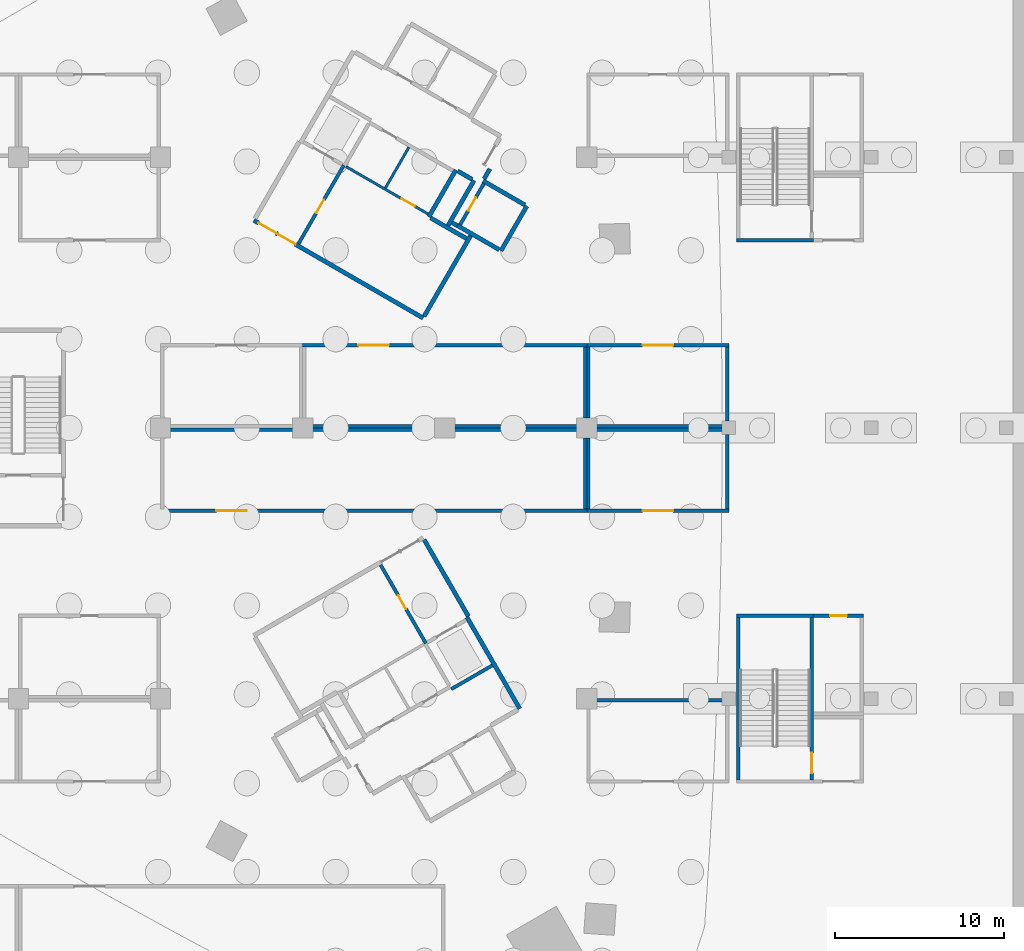
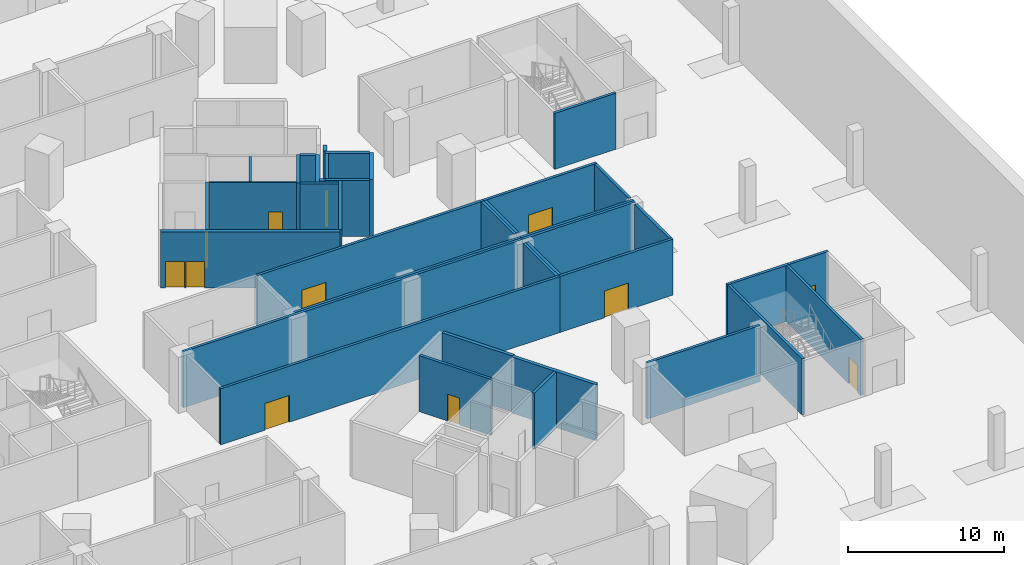
# One storey, part 17 of 46: 39 walls, 12 doors, 12 openings.
"""IFC4 building model written with IfcOpenShell, lengths in metres."""

from ifc_helpers import new_model, si_unit, direction, frame, frame_2d, origin, place, context, subcontext, project, spatial, rectangle, extrude, material, layer, layer_set, type_object, element, fill, save


model = new_model("IFC4")

# Units and contexts
model_context = context("Model", 3, precision=1e-05, world=origin(), true_north=direction((0.0, 1.0)))
body_context = subcontext(model_context, "Body", "Model", "MODEL_VIEW")
ifc_project = project(units=[si_unit("LENGTHUNIT", "METRE"), si_unit("AREAUNIT", "SQUARE_METRE"), si_unit("VOLUMEUNIT", "CUBIC_METRE"), si_unit("PLANEANGLEUNIT", "RADIAN"), si_unit("MASSUNIT", "GRAM", prefix="KILO")], contexts=[model_context])

# Site, building, storey
site_placement = place(None, origin())
site = spatial("IfcSite", under=ifc_project, at=site_placement, CompositionType="ELEMENT")
building_placement = place(site_placement, origin())
building = spatial("IfcBuilding", under=site, at=building_placement, Name="Tamra Quay Hotel Tower", CompositionType="ELEMENT")
storey_placement = place(building_placement, frame((0.0, 0.0, -12.0)))
storey = spatial("IfcBuildingStorey", under=building, at=storey_placement, Name="B3", CompositionType="ELEMENT", Elevation=-12.0)

# Wall
ifc_material_1 = material(Name="Blockwork", Category="masonry")
ifc_layer_1 = layer(ifc_material_1, 0.199951171875)
ifc_layer_set_1 = layer_set([ifc_layer_1], Name="Car park room wall 200")
wall_type_1 = type_object("IfcWallType", Name="Car park room wall 200", PredefinedType="PARTITIONING", material=ifc_layer_set_1)
wall_1_placement = place(storey_placement, frame((20.10009765625, -16.10009765625, 0.0), z_axis=(0.0, 0.0, 1.0), x_axis=(1.0, 0.0, 0.0)))
element("IfcWall", 1, at=wall_1_placement, inside=storey, type_object=wall_type_1, Name="PW", PredefinedType="PARTITIONING", context=body_context, shape_type="SweptSolid", body=[
    extrude(rectangle(XDim=8.39990234375, YDim=0.199951171875, at=frame_2d((4.199951171875, 0.0))), origin(), (0.0, 0.0, 1.0), 4.39990234375),
])

# Wall, opening, door
wall_2_placement = place(storey_placement, frame((-5.10009765625, -4.89990234375, 0.0), z_axis=(0.0, 0.0, 1.0), x_axis=(1.0, 0.0, 0.0)))
wall_2 = element("IfcWall", 2, at=wall_2_placement, inside=storey, type_object=wall_type_1, Name="PW", PredefinedType="PARTITIONING", context=body_context, shape_type="SweptSolid", body=[
    extrude(rectangle(XDim=25.2001953125, YDim=0.199951171875, at=frame_2d((12.60009765625, 0.0))), origin(), (0.0, 0.0, 1.0), 4.39990234375),
])
opening_1_placement = place(wall_2_placement, frame((3.300048828125, 0.0, 0.0)))
opening_1 = element("IfcOpeningElement", 3, at=opening_1_placement, cuts=wall_2, Name="Opening PD2", PredefinedType="OPENING", context=body_context, shape_type="SweptSolid", body=[
    extrude(rectangle(XDim=1.800048828125, YDim=2.10009765625, at=frame_2d((0.89990234375, 1.050048828125))), frame((0.0, 0.10986328125, 0.0), z_axis=(0.0, -1.0, 0.0), x_axis=(1.0, 0.0, 0.0)), (0.0, 0.0, 1.0), 0.219970703125),
])
ifc_material_2 = material(Name="Plant door 1800 x 2100")
door_type_1 = type_object("IfcDoorType", Name="Plant door 1800 x 2100", OperationType="DOUBLE_DOOR_SINGLE_SWING", PredefinedType="DOOR", material=ifc_material_2)
door_1_placement = place(opening_1_placement, origin())
door_1 = element("IfcDoor", 4, at=door_1_placement, inside=storey, type_object=door_type_1, Name="PD2", OperationType="DOUBLE_DOOR_SINGLE_SWING", OverallHeight=2.10009765625, OverallWidth=1.800048828125, PredefinedType="DOOR", context=body_context, shape_type="SweptSolid", body=[
    extrude(rectangle(XDim=1.800048828125, YDim=2.10009765625, at=frame_2d((0.89990234375, 1.050048828125))), frame((0.0, 0.02490234375, 0.0), z_axis=(0.0, -1.0, 0.0), x_axis=(1.0, 0.0, 0.0)), (0.0, 0.0, 1.0), 0.050048828125),
])
fill(opening_1, door_1)

# Walls
wall_3_placement = place(storey_placement, frame((-5.10009765625, -0.10009765625, 0.0), z_axis=(0.0, 0.0, 1.0), x_axis=(1.0, 0.0, 0.0)))
element("IfcWall", 5, at=wall_3_placement, inside=storey, type_object=wall_type_1, Name="PW", PredefinedType="PARTITIONING", context=body_context, shape_type="SweptSolid", body=[
    extrude(rectangle(XDim=25.2001953125, YDim=0.199951171875, at=frame_2d((12.60009765625, 0.0))), origin(), (0.0, 0.0, 1.0), 4.39990234375),
])
wall_4_placement = place(storey_placement, frame((20.0, -4.800048828125, 0.0), z_axis=(0.0, 0.0, 1.0), x_axis=(0.0, 1.0, 0.0)))
element("IfcWall", 6, at=wall_4_placement, inside=storey, type_object=wall_type_1, Name="PW", PredefinedType="PARTITIONING", context=body_context, shape_type="SweptSolid", body=[
    extrude(rectangle(XDim=4.199951171875, YDim=0.199951171875, at=frame_2d((2.10009765625, 0.0))), origin(), (0.0, 0.0, 1.0), 4.39990234375),
])

# Wall, opening, door
wall_5_placement = place(storey_placement, frame((20.10009765625, -4.89990234375, 0.0), z_axis=(0.0, 0.0, 1.0), x_axis=(1.0, 0.0, 0.0)))
wall_5 = element("IfcWall", 7, at=wall_5_placement, inside=storey, type_object=wall_type_1, Name="PW", PredefinedType="PARTITIONING", context=body_context, shape_type="SweptSolid", body=[
    extrude(rectangle(XDim=8.39990234375, YDim=0.199951171875, at=frame_2d((4.199951171875, 0.0))), origin(), (0.0, 0.0, 1.0), 4.39990234375),
])
opening_2_placement = place(wall_5_placement, frame((3.300048828125, 0.0, 0.0)))
opening_2 = element("IfcOpeningElement", 8, at=opening_2_placement, cuts=wall_5, Name="Opening PD2", PredefinedType="OPENING", context=body_context, shape_type="SweptSolid", body=[
    extrude(rectangle(XDim=1.800048828125, YDim=2.10009765625, at=frame_2d((0.89990234375, 1.050048828125))), frame((0.0, 0.10986328125, 0.0), z_axis=(0.0, -1.0, 0.0), x_axis=(1.0, 0.0, 0.0)), (0.0, 0.0, 1.0), 0.219970703125),
])
door_2_placement = place(opening_2_placement, origin())
door_2 = element("IfcDoor", 9, at=door_2_placement, inside=storey, type_object=door_type_1, Name="PD2", OperationType="DOUBLE_DOOR_SINGLE_SWING", OverallHeight=2.10009765625, OverallWidth=1.800048828125, PredefinedType="DOOR", context=body_context, shape_type="SweptSolid", body=[
    extrude(rectangle(XDim=1.800048828125, YDim=2.10009765625, at=frame_2d((0.89990234375, 1.050048828125))), frame((0.0, 0.02490234375, 0.0), z_axis=(0.0, -1.0, 0.0), x_axis=(1.0, 0.0, 0.0)), (0.0, 0.0, 1.0), 0.050048828125),
])
fill(opening_2, door_2)

# Walls
wall_6_placement = place(storey_placement, frame((20.10009765625, -0.10009765625, 0.0), z_axis=(0.0, 0.0, 1.0), x_axis=(1.0, 0.0, 0.0)))
element("IfcWall", 10, at=wall_6_placement, inside=storey, type_object=wall_type_1, Name="PW", PredefinedType="PARTITIONING", context=body_context, shape_type="SweptSolid", body=[
    extrude(rectangle(XDim=8.39990234375, YDim=0.199951171875, at=frame_2d((4.199951171875, 0.0))), origin(), (0.0, 0.0, 1.0), 4.39990234375),
])
wall_7_placement = place(storey_placement, frame((20.199951171875, -4.800048828125, 0.0), z_axis=(0.0, 0.0, 1.0), x_axis=(0.0, 1.0, 0.0)))
element("IfcWall", 11, at=wall_7_placement, inside=storey, type_object=wall_type_1, Name="PW", PredefinedType="PARTITIONING", context=body_context, shape_type="SweptSolid", body=[
    extrude(rectangle(XDim=4.199951171875, YDim=0.199951171875, at=frame_2d((2.10009765625, 0.0))), origin(), (0.0, 0.0, 1.0), 4.39990234375),
])
wall_8_placement = place(storey_placement, frame((28.39990234375, -4.800048828125, 0.0), z_axis=(0.0, 0.0, 1.0), x_axis=(0.0, 1.0, 0.0)))
element("IfcWall", 12, at=wall_8_placement, inside=storey, type_object=wall_type_1, Name="PW", PredefinedType="PARTITIONING", context=body_context, shape_type="SweptSolid", body=[
    extrude(rectangle(XDim=4.400146484375, YDim=0.199951171875, at=frame_2d((2.2001953125, 0.0))), origin(), (0.0, 0.0, 1.0), 4.39990234375),
])
wall_9_placement = place(storey_placement, frame((3.300048828125, 0.10009765625, 0.0), z_axis=(0.0, 0.0, 1.0), x_axis=(1.0, 0.0, 0.0)))
element("IfcWall", 13, at=wall_9_placement, inside=storey, type_object=wall_type_1, Name="PW", PredefinedType="PARTITIONING", context=body_context, shape_type="SweptSolid", body=[
    extrude(rectangle(XDim=16.800048828125, YDim=0.199951171875, at=frame_2d((8.39990234375, 0.0))), origin(), (0.0, 0.0, 1.0), 4.39990234375),
])

# Wall, opening, door
wall_10_placement = place(storey_placement, frame((3.300048828125, 4.89990234375, 0.0), z_axis=(0.0, 0.0, 1.0), x_axis=(1.0, 0.0, 0.0)))
wall_10 = element("IfcWall", 14, at=wall_10_placement, inside=storey, type_object=wall_type_1, Name="PW", PredefinedType="PARTITIONING", context=body_context, shape_type="SweptSolid", body=[
    extrude(rectangle(XDim=16.800048828125, YDim=0.199951171875, at=frame_2d((8.39990234375, 0.0))), origin(), (0.0, 0.0, 1.0), 4.39990234375),
])
opening_3_placement = place(wall_10_placement, frame((3.300048828125, 0.0, 0.0)))
opening_3 = element("IfcOpeningElement", 15, at=opening_3_placement, cuts=wall_10, Name="Opening PD2", PredefinedType="OPENING", context=body_context, shape_type="SweptSolid", body=[
    extrude(rectangle(XDim=1.800048828125, YDim=2.10009765625, at=frame_2d((0.89990234375, 1.050048828125))), frame((0.0, 0.10986328125, 0.0), z_axis=(0.0, -1.0, 0.0), x_axis=(1.0, 0.0, 0.0)), (0.0, 0.0, 1.0), 0.219970703125),
])
door_3_placement = place(opening_3_placement, origin())
door_3 = element("IfcDoor", 16, at=door_3_placement, inside=storey, type_object=door_type_1, Name="PD2", OperationType="DOUBLE_DOOR_SINGLE_SWING", OverallHeight=2.10009765625, OverallWidth=1.800048828125, PredefinedType="DOOR", context=body_context, shape_type="SweptSolid", body=[
    extrude(rectangle(XDim=1.800048828125, YDim=2.10009765625, at=frame_2d((0.89990234375, 1.050048828125))), frame((0.0, 0.02490234375, 0.0), z_axis=(0.0, -1.0, 0.0), x_axis=(1.0, 0.0, 0.0)), (0.0, 0.0, 1.0), 0.050048828125),
])
fill(opening_3, door_3)

# Walls
wall_11_placement = place(storey_placement, frame((20.0, 0.60009765625, 0.0), z_axis=(0.0, 0.0, 1.0), x_axis=(0.0, 1.0, 0.0)))
element("IfcWall", 17, at=wall_11_placement, inside=storey, type_object=wall_type_1, Name="PW", PredefinedType="PARTITIONING", context=body_context, shape_type="SweptSolid", body=[
    extrude(rectangle(XDim=4.199951171875, YDim=0.199951171875, at=frame_2d((2.10009765625, 0.0))), origin(), (0.0, 0.0, 1.0), 4.39990234375),
])
wall_12_placement = place(storey_placement, frame((20.10009765625, 0.10009765625, 0.0), z_axis=(0.0, 0.0, 1.0), x_axis=(1.0, 0.0, 0.0)))
element("IfcWall", 18, at=wall_12_placement, inside=storey, type_object=wall_type_1, Name="PW", PredefinedType="PARTITIONING", context=body_context, shape_type="SweptSolid", body=[
    extrude(rectangle(XDim=8.39990234375, YDim=0.199951171875, at=frame_2d((4.199951171875, 0.0))), origin(), (0.0, 0.0, 1.0), 4.39990234375),
])

# Wall, opening, door
wall_13_placement = place(storey_placement, frame((20.10009765625, 4.89990234375, 0.0), z_axis=(0.0, 0.0, 1.0), x_axis=(1.0, 0.0, 0.0)))
wall_13 = element("IfcWall", 19, at=wall_13_placement, inside=storey, type_object=wall_type_1, Name="PW", PredefinedType="PARTITIONING", context=body_context, shape_type="SweptSolid", body=[
    extrude(rectangle(XDim=8.39990234375, YDim=0.199951171875, at=frame_2d((4.199951171875, 0.0))), origin(), (0.0, 0.0, 1.0), 4.39990234375),
])
opening_4_placement = place(wall_13_placement, frame((3.300048828125, 0.0, 0.0)))
opening_4 = element("IfcOpeningElement", 20, at=opening_4_placement, cuts=wall_13, Name="Opening PD2", PredefinedType="OPENING", context=body_context, shape_type="SweptSolid", body=[
    extrude(rectangle(XDim=1.800048828125, YDim=2.10009765625, at=frame_2d((0.89990234375, 1.050048828125))), frame((0.0, 0.10986328125, 0.0), z_axis=(0.0, -1.0, 0.0), x_axis=(1.0, 0.0, 0.0)), (0.0, 0.0, 1.0), 0.219970703125),
])
door_4_placement = place(opening_4_placement, origin())
door_4 = element("IfcDoor", 21, at=door_4_placement, inside=storey, type_object=door_type_1, Name="PD2", OperationType="DOUBLE_DOOR_SINGLE_SWING", OverallHeight=2.10009765625, OverallWidth=1.800048828125, PredefinedType="DOOR", context=body_context, shape_type="SweptSolid", body=[
    extrude(rectangle(XDim=1.800048828125, YDim=2.10009765625, at=frame_2d((0.89990234375, 1.050048828125))), frame((0.0, 0.02490234375, 0.0), z_axis=(0.0, -1.0, 0.0), x_axis=(1.0, 0.0, 0.0)), (0.0, 0.0, 1.0), 0.050048828125),
])
fill(opening_4, door_4)

# Walls
wall_14_placement = place(storey_placement, frame((20.199951171875, 0.60009765625, 0.0), z_axis=(0.0, 0.0, 1.0), x_axis=(0.0, 1.0, 0.0)))
element("IfcWall", 22, at=wall_14_placement, inside=storey, type_object=wall_type_1, Name="PW", PredefinedType="PARTITIONING", context=body_context, shape_type="SweptSolid", body=[
    extrude(rectangle(XDim=4.199951171875, YDim=0.199951171875, at=frame_2d((2.10009765625, 0.0))), origin(), (0.0, 0.0, 1.0), 4.39990234375),
])
wall_15_placement = place(storey_placement, frame((28.39990234375, 0.39990234375, 0.0), z_axis=(0.0, 0.0, 1.0), x_axis=(0.0, 1.0, 0.0)))
element("IfcWall", 23, at=wall_15_placement, inside=storey, type_object=wall_type_1, Name="PW", PredefinedType="PARTITIONING", context=body_context, shape_type="SweptSolid", body=[
    extrude(rectangle(XDim=4.400146484375, YDim=0.199951171875, at=frame_2d((2.2001953125, 0.0))), origin(), (0.0, 0.0, 1.0), 4.39990234375),
])

# Wall, opening, door
wall_16_placement = place(storey_placement, frame((33.5, -11.10009765625, 0.0), z_axis=(0.0, 0.0, 1.0), x_axis=(1.0, 0.0, 0.0)))
wall_16 = element("IfcWall", 24, at=wall_16_placement, inside=storey, type_object=wall_type_1, Name="PW", PredefinedType="PARTITIONING", context=body_context, shape_type="SweptSolid", body=[
    extrude(rectangle(XDim=2.949951171875, YDim=0.199951171875, at=frame_2d((1.47509765625, 0.0))), origin(), (0.0, 0.0, 1.0), 4.39990234375),
])
opening_5_placement = place(wall_16_placement, frame((0.97509765625, 0.0, 0.0)))
opening_5 = element("IfcOpeningElement", 25, at=opening_5_placement, cuts=wall_16, Name="Opening PD1", PredefinedType="OPENING", context=body_context, shape_type="SweptSolid", body=[
    extrude(rectangle(XDim=1.0, YDim=2.10009765625, at=frame_2d((0.5, 1.050048828125))), frame((0.0, 0.10986328125, 0.0), z_axis=(0.0, -1.0, 0.0), x_axis=(1.0, 0.0, 0.0)), (0.0, 0.0, 1.0), 0.219970703125),
])
ifc_material_3 = material(Name="Car park door 1000 x 2100")
door_type_2 = type_object("IfcDoorType", Name="Car park door 1000 x 2100", OperationType="NOTDEFINED", PredefinedType="DOOR", material=ifc_material_3)
door_5_placement = place(opening_5_placement, origin())
door_5 = element("IfcDoor", 26, at=door_5_placement, inside=storey, type_object=door_type_2, Name="PD1", OperationType="SINGLE_SWING_LEFT", OverallHeight=2.10009765625, OverallWidth=1.0, PredefinedType="DOOR", context=body_context, shape_type="SweptSolid", body=[
    extrude(rectangle(XDim=1.0, YDim=2.10009765625, at=frame_2d((0.5, 1.050048828125))), frame((0.0, 0.02490234375, 0.0), z_axis=(0.0, -1.0, 0.0), x_axis=(1.0, 0.0, 0.0)), (0.0, 0.0, 1.0), 0.050048828125),
])
fill(opening_5, door_5)

ifc_material_4 = material(Name="Concrete M70", Category="concrete")
ifc_layer_2 = layer(ifc_material_4, 0.199951171875)
ifc_layer_set_2 = layer_set([ifc_layer_2], Name="Concrete M70 core wall 200")
wall_type_2 = type_object("IfcWallType", Name="Concrete M70 core wall 200", PredefinedType="SHEAR", material=ifc_layer_set_2)
wall_17_placement = place(storey_placement, frame((3.056640625, 10.89453125, 0.0), z_axis=(0.0, 0.0, 1.0), x_axis=(0.500012186204, 0.866018367962, 0.0)))
wall_17 = element("IfcWall", 27, at=wall_17_placement, inside=storey, type_object=wall_type_2, Name="CW2", PredefinedType="SHEAR", context=body_context, shape_type="SweptSolid", body=[
    extrude(rectangle(XDim=5.348876953125, YDim=0.199951171875, at=frame_2d((2.67431640625, 0.0))), origin(), (0.0, 0.0, 1.0), 4.39990234375),
])
opening_6_placement = place(wall_17_placement, frame((2.09912109375, 0.0, 0.0)))
opening_6 = element("IfcOpeningElement", 28, at=opening_6_placement, cuts=wall_17, Name="Opening D2", PredefinedType="OPENING", context=body_context, shape_type="SweptSolid", body=[
    extrude(rectangle(XDim=0.89990234375, YDim=2.10009765625, at=frame_2d((0.449951171875, 1.050048828125))), frame((0.0, 0.10986328125, 0.0), z_axis=(0.0, -1.0, 0.0), x_axis=(1.0, 0.0, 0.0)), (0.0, 0.0, 1.0), 0.219970703125),
])
ifc_material_5 = material(Name="Core door D2 900x2100 RH")
door_type_3 = type_object("IfcDoorType", Name="Core door D2 900x2100 RH", OperationType="NOTDEFINED", PredefinedType="DOOR", material=ifc_material_5)
door_6_placement = place(opening_6_placement, origin())
door_6 = element("IfcDoor", 29, at=door_6_placement, inside=storey, type_object=door_type_3, Name="D2", OperationType="SINGLE_SWING_RIGHT", OverallHeight=2.10009765625, OverallWidth=0.89990234375, PredefinedType="DOOR", context=body_context, shape_type="SweptSolid", body=[
    extrude(rectangle(XDim=0.89990234375, YDim=2.10009765625, at=frame_2d((0.449951171875, 1.050048828125))), frame((0.0, 0.02490234375, 0.0), z_axis=(0.0, -1.0, 0.0), x_axis=(1.0, 0.0, 0.0)), (0.0, 0.0, 1.0), 0.050048828125),
])
fill(opening_6, door_6)

wall_18_placement = place(storey_placement, frame((14.0078125, 14.442138671875, 0.0), z_axis=(0.0, 0.0, 1.0), x_axis=(-0.499986818241, -0.866033014143, 0.0)))
wall_18 = element("IfcWall", 30, at=wall_18_placement, inside=storey, type_object=wall_type_2, Name="CW2", PredefinedType="SHEAR", context=body_context, shape_type="SweptSolid", body=[
    extrude(rectangle(XDim=2.7978515625, YDim=0.199951171875, at=frame_2d((1.39892578125, 0.0))), origin(), (0.0, 0.0, 1.0), 4.39990234375),
])
opening_7_placement = place(wall_18_placement, frame((0.948974609375, 0.0, 0.0)))
opening_7 = element("IfcOpeningElement", 31, at=opening_7_placement, cuts=wall_18, Name="Opening D1", PredefinedType="OPENING", context=body_context, shape_type="SweptSolid", body=[
    extrude(rectangle(XDim=0.89990234375, YDim=2.10009765625, at=frame_2d((0.449951171875, 1.050048828125))), frame((0.0, 0.10986328125, 0.0), z_axis=(0.0, -1.0, 0.0), x_axis=(1.0, 0.0, 0.0)), (0.0, 0.0, 1.0), 0.219970703125),
])
ifc_material_6 = material(Name="Core door D1 900x2100 LH")
door_type_4 = type_object("IfcDoorType", Name="Core door D1 900x2100 LH", OperationType="NOTDEFINED", PredefinedType="DOOR", material=ifc_material_6)
door_7_placement = place(opening_7_placement, origin())
door_7 = element("IfcDoor", 32, at=door_7_placement, inside=storey, type_object=door_type_4, Name="D1", OperationType="SINGLE_SWING_LEFT", OverallHeight=2.10009765625, OverallWidth=0.89990234375, PredefinedType="DOOR", context=body_context, shape_type="SweptSolid", body=[
    extrude(rectangle(XDim=0.89990234375, YDim=2.10009765625, at=frame_2d((0.449951171875, 1.050048828125))), frame((0.0, 0.02490234375, 0.0), z_axis=(0.0, -1.0, 0.0), x_axis=(1.0, 0.0, 0.0)), (0.0, 0.0, 1.0), 0.050048828125),
])
fill(opening_7, door_7)

wall_19_placement = place(storey_placement, frame((7.906494140625, -8.094482421875, 0.0), z_axis=(0.0, 0.0, 1.0), x_axis=(0.500012186204, -0.866018367962, 0.0)))
wall_19 = element("IfcWall", 33, at=wall_19_placement, inside=storey, type_object=wall_type_2, Name="CW2", PredefinedType="SHEAR", context=body_context, shape_type="SweptSolid", body=[
    extrude(rectangle(XDim=5.348876953125, YDim=0.199951171875, at=frame_2d((2.67431640625, 0.0))), origin(), (0.0, 0.0, 1.0), 4.39990234375),
])
opening_8_placement = place(wall_19_placement, frame((2.09912109375, 0.0, 0.0)))
opening_8 = element("IfcOpeningElement", 34, at=opening_8_placement, cuts=wall_19, Name="Opening D2", PredefinedType="OPENING", context=body_context, shape_type="SweptSolid", body=[
    extrude(rectangle(XDim=0.89990234375, YDim=2.10009765625, at=frame_2d((0.449951171875, 1.050048828125))), frame((0.0, 0.10986328125, 0.0), z_axis=(0.0, -1.0, 0.0), x_axis=(1.0, 0.0, 0.0)), (0.0, 0.0, 1.0), 0.219970703125),
])
ifc_material_7 = material(Name="Core door D2 900x2100 LH")
door_type_5 = type_object("IfcDoorType", Name="Core door D2 900x2100 LH", OperationType="NOTDEFINED", PredefinedType="DOOR", material=ifc_material_7)
door_8_placement = place(opening_8_placement, origin())
door_8 = element("IfcDoor", 35, at=door_8_placement, inside=storey, type_object=door_type_5, Name="D2", OperationType="SINGLE_SWING_LEFT", OverallHeight=2.10009765625, OverallWidth=0.89990234375, PredefinedType="DOOR", context=body_context, shape_type="SweptSolid", body=[
    extrude(rectangle(XDim=0.89990234375, YDim=2.10009765625, at=frame_2d((0.449951171875, 1.050048828125))), frame((0.0, 0.02490234375, 0.0), z_axis=(0.0, -1.0, 0.0), x_axis=(1.0, 0.0, 0.0)), (0.0, 0.0, 1.0), 0.050048828125),
])
fill(opening_8, door_8)

# Wall
wall_20_placement = place(storey_placement, frame((14.51171875, -14.037109375, 0.0), z_axis=(0.0, 0.0, 1.0), x_axis=(-0.866044696403, -0.499966582715, 0.0)))
element("IfcWall", 36, at=wall_20_placement, inside=storey, type_object=wall_type_2, Name="CW2", PredefinedType="SHEAR", context=body_context, shape_type="SweptSolid", body=[
    extrude(rectangle(XDim=2.799072265625, YDim=0.199951171875, at=frame_2d((1.3994140625, 0.0))), origin(), (0.0, 0.0, 1.0), 4.39990234375),
])

# Wall, openings, doors
ifc_layer_3 = layer(ifc_material_4, 0.25)
ifc_layer_set_3 = layer_set([ifc_layer_3], Name="Concrete M70 core wall 250")
wall_type_3 = type_object("IfcWallType", Name="Concrete M70 core wall 250", PredefinedType="SHEAR", material=ifc_layer_set_3)
wall_21_placement = place(storey_placement, frame((10.419921875, 6.497802734375, 0.0), z_axis=(0.0, 0.0, 1.0), x_axis=(-0.866021906294, 0.500006057782, 0.0)))
wall_21 = element("IfcWall", 37, at=wall_21_placement, inside=storey, type_object=wall_type_3, Name="CW1", PredefinedType="SHEAR", context=body_context, shape_type="SweptSolid", body=[
    extrude(rectangle(XDim=11.550048828125, YDim=0.25, at=frame_2d((5.77490234375, 0.0))), origin(), (0.0, 0.0, 1.0), 4.39990234375),
])
opening_9_placement = place(wall_21_placement, frame((10.02490234375, 0.0, 0.0)))
opening_9 = element("IfcOpeningElement", 38, at=opening_9_placement, cuts=wall_21, Name="Opening FD1", PredefinedType="OPENING", context=body_context, shape_type="SweptSolid", body=[
    extrude(rectangle(XDim=1.199951171875, YDim=2.10009765625, at=frame_2d((0.60009765625, 1.050048828125))), frame((0.0, 0.135009765625, 0.0), z_axis=(0.0, -1.0, 0.0), x_axis=(1.0, 0.0, 0.0)), (0.0, 0.0, 1.0), 0.27001953125),
])
opening_10_placement = place(wall_21_placement, frame((8.724853515625, 0.0, 0.0)))
opening_10 = element("IfcOpeningElement", 39, at=opening_10_placement, cuts=wall_21, Name="Opening FD1", PredefinedType="OPENING", context=body_context, shape_type="SweptSolid", body=[
    extrude(rectangle(XDim=1.199951171875, YDim=2.10009765625, at=frame_2d((0.60009765625, 1.050048828125))), frame((0.0, 0.135009765625, 0.0), z_axis=(0.0, -1.0, 0.0), x_axis=(1.0, 0.0, 0.0)), (0.0, 0.0, 1.0), 0.27001953125),
])
ifc_material_8 = material(Name="Core door FD1 1200x2100 LH")
door_type_6 = type_object("IfcDoorType", Name="Core door FD1 1200x2100 LH", OperationType="NOTDEFINED", PredefinedType="DOOR", material=ifc_material_8)
door_9_placement = place(opening_9_placement, origin())
door_9 = element("IfcDoor", 40, at=door_9_placement, inside=storey, type_object=door_type_6, Name="FD1", OperationType="SINGLE_SWING_LEFT", OverallHeight=2.10009765625, OverallWidth=1.199951171875, PredefinedType="DOOR", context=body_context, shape_type="SweptSolid", body=[
    extrude(rectangle(XDim=1.199951171875, YDim=2.10009765625, at=frame_2d((0.60009765625, 1.050048828125))), frame((0.0, 0.02490234375, 0.0), z_axis=(0.0, -1.0, 0.0), x_axis=(1.0, 0.0, 0.0)), (0.0, 0.0, 1.0), 0.050048828125),
])
fill(opening_9, door_9)
ifc_material_9 = material(Name="Core door FD1 1200x2100 RH")
door_type_7 = type_object("IfcDoorType", Name="Core door FD1 1200x2100 RH", OperationType="NOTDEFINED", PredefinedType="DOOR", material=ifc_material_9)
door_10_placement = place(opening_10_placement, origin())
door_10 = element("IfcDoor", 41, at=door_10_placement, inside=storey, type_object=door_type_7, Name="FD1", OperationType="SINGLE_SWING_RIGHT", OverallHeight=2.10009765625, OverallWidth=1.199951171875, PredefinedType="DOOR", context=body_context, shape_type="SweptSolid", body=[
    extrude(rectangle(XDim=1.199951171875, YDim=2.10009765625, at=frame_2d((0.60009765625, 1.050048828125))), frame((0.0, 0.02490234375, 0.0), z_axis=(0.0, -1.0, 0.0), x_axis=(1.0, 0.0, 0.0)), (0.0, 0.0, 1.0), 0.050048828125),
])
fill(opening_10, door_10)

# Walls
wall_22_placement = place(storey_placement, frame((13.237548828125, 11.3779296875, 0.0), z_axis=(0.0, 0.0, 1.0), x_axis=(-0.500008851346, -0.866020293397, 0.0)))
element("IfcWall", 42, at=wall_22_placement, inside=storey, type_object=wall_type_3, Name="CW1", PredefinedType="SHEAR", context=body_context, shape_type="SweptSolid", body=[
    extrude(rectangle(XDim=5.509765625, YDim=0.25, at=frame_2d((2.7548828125, 0.0))), origin(), (0.0, 0.0, 1.0), 4.39990234375),
])
wall_23_placement = place(storey_placement, frame((12.356689453125, 15.25244140625, 0.0), z_axis=(0.0, 0.0, 1.0), x_axis=(-0.500028443584, -0.866008981251, 0.0)))
element("IfcWall", 43, at=wall_23_placement, inside=storey, type_object=wall_type_3, Name="CW1", PredefinedType="SHEAR", context=body_context, shape_type="SweptSolid", body=[
    extrude(rectangle(XDim=3.199951171875, YDim=0.25, at=frame_2d((1.60009765625, 0.0))), origin(), (0.0, 0.0, 1.0), 4.39990234375),
])
wall_24_placement = place(storey_placement, frame((16.552001953125, 13.118896484375, 0.0), z_axis=(0.0, 0.0, 1.0), x_axis=(-0.499978833458, -0.866037623948, 0.0)))
element("IfcWall", 44, at=wall_24_placement, inside=storey, type_object=wall_type_3, Name="CW1", PredefinedType="SHEAR", context=body_context, shape_type="SweptSolid", body=[
    extrude(rectangle(XDim=3.050048828125, YDim=0.25, at=frame_2d((1.52490234375, 0.0))), origin(), (0.0, 0.0, 1.0), 4.39990234375),
])
wall_25_placement = place(storey_placement, frame((14.91845703125, 10.540283203125, 0.0), z_axis=(0.0, 0.0, 1.0), x_axis=(-0.866063538972, 0.499933942099, 0.0)))
element("IfcWall", 45, at=wall_25_placement, inside=storey, type_object=wall_type_3, Name="CW1", PredefinedType="SHEAR", context=body_context, shape_type="SweptSolid", body=[
    extrude(rectangle(XDim=2.86474609375, YDim=0.25, at=frame_2d((1.432373046875, 0.0))), origin(), (0.0, 0.0, 1.0), 4.39990234375),
])
wall_26_placement = place(storey_placement, frame((13.962646484375, 14.61376953125, 0.0), z_axis=(0.0, 0.0, 1.0), x_axis=(0.866042235819, -0.499970844928, 0.0)))
element("IfcWall", 46, at=wall_26_placement, inside=storey, type_object=wall_type_3, Name="CW1", PredefinedType="SHEAR", context=body_context, shape_type="SweptSolid", body=[
    extrude(rectangle(XDim=2.864501953125, YDim=0.25, at=frame_2d((1.43212890625, 0.0))), origin(), (0.0, 0.0, 1.0), 4.39990234375),
])
wall_27_placement = place(storey_placement, frame((11.887939453125, 11.960693359375, 0.0), z_axis=(0.0, 0.0, 1.0), x_axis=(0.500003324108, 0.866023484601, 0.0)))
element("IfcWall", 47, at=wall_27_placement, inside=storey, type_object=wall_type_3, Name="CW1", PredefinedType="SHEAR", context=body_context, shape_type="SweptSolid", body=[
    extrude(rectangle(XDim=3.0849609375, YDim=0.25, at=frame_2d((1.54248046875, 0.0))), origin(), (0.0, 0.0, 1.0), 4.39990234375),
])
wall_28_placement = place(storey_placement, frame((10.865234375, 12.41845703125, 0.0), z_axis=(0.0, 0.0, 1.0), x_axis=(0.866026229868, -0.499998569178, 0.0)))
element("IfcWall", 48, at=wall_28_placement, inside=storey, type_object=wall_type_3, Name="CW1", PredefinedType="SHEAR", context=body_context, shape_type="SweptSolid", body=[
    extrude(rectangle(XDim=2.44921875, YDim=0.25, at=frame_2d((1.224609375, 0.0))), origin(), (0.0, 0.0, 1.0), 4.39990234375),
])
wall_29_placement = place(storey_placement, frame((13.322021484375, 14.695068359375, 0.0), z_axis=(0.0, 0.0, 1.0), x_axis=(-0.866017078145, 0.500014420154, 0.0)))
element("IfcWall", 49, at=wall_29_placement, inside=storey, type_object=wall_type_3, Name="CW1", PredefinedType="SHEAR", context=body_context, shape_type="SweptSolid", body=[
    extrude(rectangle(XDim=0.9892578125, YDim=0.25, at=frame_2d((0.49462890625, 0.0))), origin(), (0.0, 0.0, 1.0), 4.39990234375),
])
wall_30_placement = place(storey_placement, frame((14.36767578125, 15.3154296875, 0.0), z_axis=(0.0, 0.0, 1.0), x_axis=(-0.499897359611, -0.866084655132, 0.0)))
element("IfcWall", 50, at=wall_30_placement, inside=storey, type_object=wall_type_3, Name="CW1", PredefinedType="SHEAR", context=body_context, shape_type="SweptSolid", body=[
    extrude(rectangle(XDim=0.684814453125, YDim=0.25, at=frame_2d((0.34228515625, 0.0))), origin(), (0.0, 0.0, 1.0), 4.39990234375),
])
wall_31_placement = place(storey_placement, frame((12.4326171875, 11.9638671875, 0.0), z_axis=(0.0, 0.0, 1.0), x_axis=(-0.866055875208, 0.499947218231, 0.0)))
element("IfcWall", 51, at=wall_31_placement, inside=storey, type_object=wall_type_3, Name="CW1", PredefinedType="SHEAR", context=body_context, shape_type="SweptSolid", body=[
    extrude(rectangle(XDim=0.3447265625, YDim=0.25, at=frame_2d((0.17236328125, 0.0))), origin(), (0.0, 0.0, 1.0), 4.39990234375),
])
wall_32_placement = place(storey_placement, frame((13.00830078125, -11.18115234375, 0.0), z_axis=(0.0, 0.0, 1.0), x_axis=(0.500004234368, -0.866022959057, 0.0)))
element("IfcWall", 52, at=wall_32_placement, inside=storey, type_object=wall_type_3, Name="CW1", PredefinedType="SHEAR", context=body_context, shape_type="SweptSolid", body=[
    extrude(rectangle(XDim=6.25, YDim=0.25, at=frame_2d((3.125, 0.0))), origin(), (0.0, 0.0, 1.0), 4.39990234375),
])
wall_33_placement = place(storey_placement, frame((10.482666015625, -6.6064453125, 0.0), z_axis=(0.0, 0.0, 1.0), x_axis=(0.49999885962, -0.866026062182, 0.0)))
element("IfcWall", 53, at=wall_33_placement, inside=storey, type_object=wall_type_3, Name="CW1", PredefinedType="SHEAR", context=body_context, shape_type="SweptSolid", body=[
    extrude(rectangle(XDim=5.224609375, YDim=0.25, at=frame_2d((2.6123046875, 0.0))), origin(), (0.0, 0.0, 1.0), 4.39990234375),
])
ifc_layer_4 = layer(ifc_material_4, 0.199951171875)
ifc_layer_set_4 = layer_set([ifc_layer_4], Name="Concrete M70 stair enclosure wall 200")
wall_type_4 = type_object("IfcWallType", Name="Concrete M70 stair enclosure wall 200", PredefinedType="SOLIDWALL", material=ifc_layer_set_4)
wall_34_placement = place(storey_placement, frame((29.050048828125, -20.800048828125, 0.0), z_axis=(0.0, 0.0, 1.0), x_axis=(0.0, 1.0, 0.0)))
element("IfcWall", 54, at=wall_34_placement, inside=storey, type_object=wall_type_4, Name="SEW", PredefinedType="SOLIDWALL", context=body_context, shape_type="SweptSolid", body=[
    extrude(rectangle(XDim=9.60009765625, YDim=0.199951171875, at=frame_2d((4.800048828125, 0.0))), origin(), (0.0, 0.0, 1.0), 4.39990234375),
])

# Wall, opening, door
wall_35_placement = place(storey_placement, frame((33.39990234375, -20.800048828125, 0.0), z_axis=(0.0, 0.0, 1.0), x_axis=(0.0, 1.0, 0.0)))
wall_35 = element("IfcWall", 55, at=wall_35_placement, inside=storey, type_object=wall_type_4, Name="SEW", PredefinedType="SOLIDWALL", context=body_context, shape_type="SweptSolid", body=[
    extrude(rectangle(XDim=9.60009765625, YDim=0.199951171875, at=frame_2d((4.800048828125, 0.0))), origin(), (0.0, 0.0, 1.0), 4.39990234375),
])
opening_11_placement = place(wall_35_placement, frame((0.39990234375, 0.0, 0.0)))
opening_11 = element("IfcOpeningElement", 56, at=opening_11_placement, cuts=wall_35, Name="Opening SD1", PredefinedType="OPENING", context=body_context, shape_type="SweptSolid", body=[
    extrude(rectangle(XDim=1.199951171875, YDim=2.10009765625, at=frame_2d((0.60009765625, 1.050048828125))), frame((0.0, 0.10986328125, 0.0), z_axis=(0.0, -1.0, 0.0), x_axis=(1.0, 0.0, 0.0)), (0.0, 0.0, 1.0), 0.219970703125),
])
ifc_material_10 = material(Name="Stair door 1200 x 2100")
door_type_8 = type_object("IfcDoorType", Name="Stair door 1200 x 2100", OperationType="NOTDEFINED", PredefinedType="DOOR", material=ifc_material_10)
door_11_placement = place(opening_11_placement, origin())
door_11 = element("IfcDoor", 57, at=door_11_placement, inside=storey, type_object=door_type_8, Name="SD1", OperationType="SINGLE_SWING_LEFT", OverallHeight=2.10009765625, OverallWidth=1.199951171875, PredefinedType="DOOR", context=body_context, shape_type="SweptSolid", body=[
    extrude(rectangle(XDim=1.199951171875, YDim=2.10009765625, at=frame_2d((0.60009765625, 1.050048828125))), frame((0.0, 0.02490234375, 0.0), z_axis=(0.0, -1.0, 0.0), x_axis=(1.0, 0.0, 0.0)), (0.0, 0.0, 1.0), 0.050048828125),
])
fill(opening_11, door_11)

# Walls
for number, where, z_axis, x_axis, name in (
    (58, (28.949951171875, -11.10009765625, 0.0), (0.0, 0.0, 1.0), (1.0, 0.0, 0.0), "SEW"),
    (59, (33.5, 11.10009765625, 0.0), (0.0, 0.0, 1.0), (-1.0, 0.0, 0.0), "SEW"),
):
    element("IfcWall", number, at=place(storey_placement, frame(where, z_axis=z_axis, x_axis=x_axis)), inside=storey, type_object=wall_type_4, Name=name, PredefinedType="SOLIDWALL", context=body_context, shape_type="SweptSolid", body=[
        extrude(rectangle(XDim=4.550048828125, YDim=0.199951171875, at=frame_2d((2.27490234375, 0.0))), origin(), (0.0, 0.0, 1.0), 4.39990234375),
    ])

# Wall, opening, door
ifc_layer_5 = layer(ifc_material_1, 0.14990234375)
ifc_layer_set_5 = layer_set([ifc_layer_5], Name="Core partition block 150")
wall_type_5 = type_object("IfcWallType", Name="Core partition block 150", PredefinedType="PARTITIONING", material=ifc_layer_set_5)
wall_36_placement = place(storey_placement, frame((5.860595703125, 15.452392578125, 0.0), z_axis=(0.0, 0.0, 1.0), x_axis=(0.866026594901, -0.49999793692, 0.0)))
wall_36 = element("IfcWall", 60, at=wall_36_placement, inside=storey, type_object=wall_type_5, Name="CP1", PredefinedType="PARTITIONING", context=body_context, shape_type="SweptSolid", body=[
    extrude(rectangle(XDim=5.60009765625, YDim=0.14990234375, at=frame_2d((2.800048828125, 0.0))), origin(), (0.0, 0.0, 1.0), 4.39990234375),
])
opening_12_placement = place(wall_36_placement, frame((3.800537109375, 0.0, 0.0)))
opening_12 = element("IfcOpeningElement", 61, at=opening_12_placement, cuts=wall_36, Name="Opening D2", PredefinedType="OPENING", context=body_context, shape_type="SweptSolid", body=[
    extrude(rectangle(XDim=0.89990234375, YDim=2.10009765625, at=frame_2d((0.449951171875, 1.050048828125))), frame((0.0, 0.0849609375, 0.0), z_axis=(0.0, -1.0, 0.0), x_axis=(1.0, 0.0, 0.0)), (0.0, 0.0, 1.0), 0.169921875),
])
door_12_placement = place(opening_12_placement, origin())
door_12 = element("IfcDoor", 62, at=door_12_placement, inside=storey, type_object=door_type_5, Name="D2", OperationType="SINGLE_SWING_LEFT", OverallHeight=2.10009765625, OverallWidth=0.89990234375, PredefinedType="DOOR", context=body_context, shape_type="SweptSolid", body=[
    extrude(rectangle(XDim=0.89990234375, YDim=2.10009765625, at=frame_2d((0.449951171875, 1.050048828125))), frame((0.0, 0.02490234375, 0.0), z_axis=(0.0, -1.0, 0.0), x_axis=(1.0, 0.0, 0.0)), (0.0, 0.0, 1.0), 0.050048828125),
])
fill(opening_12, door_12)

# Wall
wall_37_placement = place(storey_placement, frame((8.19384765625, 14.192626953125, 0.0), z_axis=(0.0, 0.0, 1.0), x_axis=(0.500001852011, 0.866024334523, 0.0)))
element("IfcWall", 63, at=wall_37_placement, inside=storey, type_object=wall_type_5, Name="CP1", PredefinedType="PARTITIONING", context=body_context, shape_type="SweptSolid", body=[
    extrude(rectangle(XDim=2.7734375, YDim=0.14990234375, at=frame_2d((1.38671875, 0.0))), origin(), (0.0, 0.0, 1.0), 4.39990234375),
])

save(model, "model.ifc")
